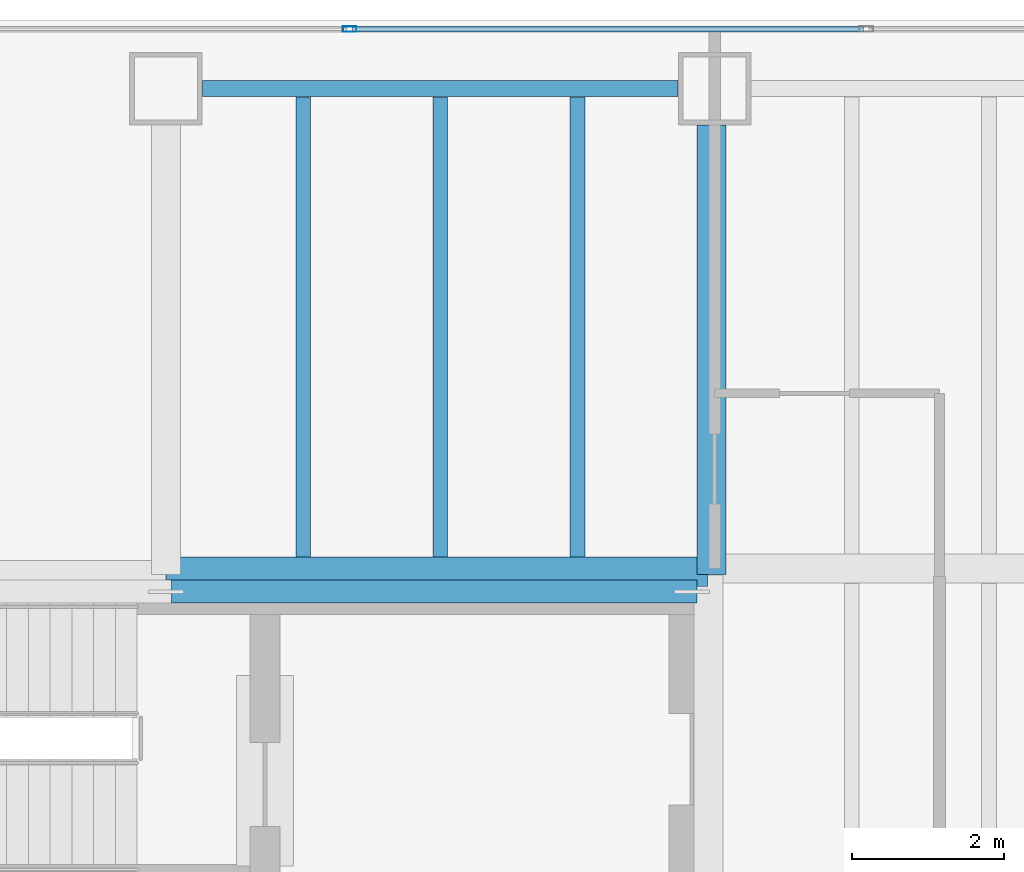
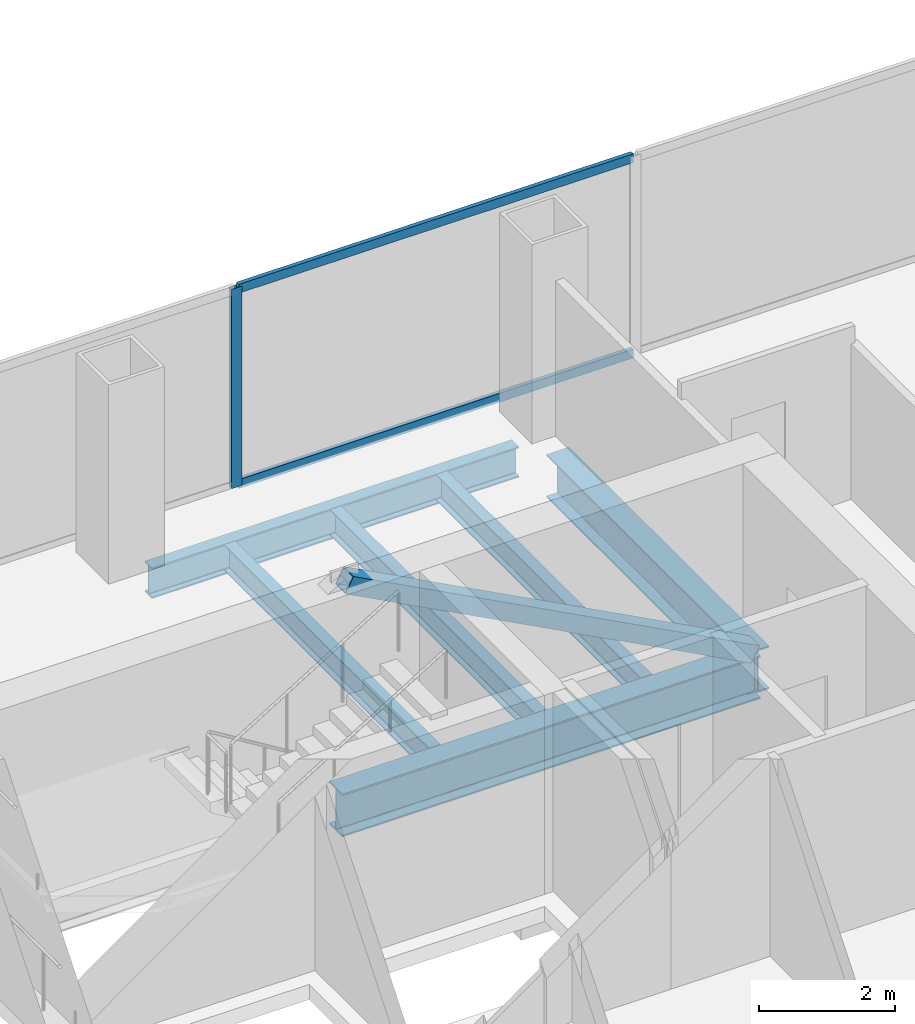
# One storey, part 17 of 23: 6 beams, 4 members, 1 element without a shape of its own.
"""IFC4 building model written with IfcOpenShell, lengths in metres."""

from ifc_helpers import new_model, si_unit, direction, frame, origin, origin_2d, place, context, subcontext, project, spatial, hollow_rectangle, i_section, extrude, material, material_profile, profile_set, type_object, element, aggregate, save


model = new_model("IFC4")

# Units and contexts
model_context = context("Model", 3, precision=1e-05, world=origin(), true_north=direction((0.0, 1.0)))
body_context = subcontext(model_context, "Body", "Model", "MODEL_VIEW")
ifc_project = project(units=[si_unit("LENGTHUNIT", "METRE"), si_unit("AREAUNIT", "SQUARE_METRE"), si_unit("VOLUMEUNIT", "CUBIC_METRE"), si_unit("PLANEANGLEUNIT", "RADIAN"), si_unit("MASSUNIT", "GRAM", prefix="KILO")], contexts=[model_context])

# Site, building, storey
site_placement = place(None, origin())
site = spatial("IfcSite", under=ifc_project, at=site_placement, CompositionType="ELEMENT")
building_placement = place(site_placement, origin())
building = spatial("IfcBuilding", under=site, at=building_placement, Name="Cobrela Telecom Tower", CompositionType="ELEMENT")
storey_placement = place(building_placement, frame((0.0, 0.0, 109.89990234375)))
storey = spatial("IfcBuildingStorey", under=building, at=storey_placement, Name="L27", CompositionType="ELEMENT", Elevation=109.89990234375)

# Beams
ifc_material_1 = material(Name="Steel ASTM A992 Grade 50", Category="steel")
ifc_material_profile_1 = material_profile(ifc_material_1, i_section(OverallWidth=0.381103515625, OverallDepth=0.77197265625, WebThickness=0.0166015625, FlangeThickness=0.027099609375, FilletRadius=0.01904296875, at=origin_2d()), Name="W30X173")
ifc_profile_set_1 = profile_set([ifc_material_profile_1], Name="Steel ASTM A992 Grade 50")
beam_type_1 = type_object("IfcBeamType", Name="BM-GIRD-04", PredefinedType="USERDEFINED", material=ifc_profile_set_1)
beam_1_placement = place(storey_placement, frame((7.205078125, 35.9599609375, -0.656005859375), z_axis=(1.0, 0.0, 0.0), x_axis=(0.0, 1.0, 0.0)))
element("IfcBeam", 1, at=beam_1_placement, inside=storey, type_object=beam_type_1, Name="L27 Primary Girder X26", ObjectType="GIRDER", PredefinedType="USERDEFINED", context=body_context, shape_type="SweptSolid", body=[
    extrude(i_section(OverallWidth=0.381103515625, OverallDepth=0.77197265625, WebThickness=0.0166015625, FlangeThickness=0.027099609375, FilletRadius=0.01904296875, at=origin_2d()), origin(), (0.0, 0.0, 1.0), 7.10986328125),
])
beam_2_placement = place(storey_placement, frame((14.360107421875, 35.925048828125, -0.656005859375), z_axis=(0.0, 1.0, 0.0), x_axis=(-1.0, 0.0, 0.0)))
element("IfcBeam", 2, at=beam_2_placement, inside=storey, type_object=beam_type_1, Name="L27 Primary Girder Y38", ObjectType="GIRDER", PredefinedType="USERDEFINED", context=body_context, shape_type="SweptSolid", body=[
    extrude(i_section(OverallWidth=0.381103515625, OverallDepth=0.77197265625, WebThickness=0.0166015625, FlangeThickness=0.027099609375, FilletRadius=0.01904296875, at=origin_2d()), origin(), (0.0, 0.0, 1.0), 5.89501953125),
])
ifc_material_profile_2 = material_profile(ifc_material_1, i_section(OverallWidth=0.193115234375, OverallDepth=0.467041015625, WebThickness=0.011474609375, FlangeThickness=0.01904296875, FilletRadius=0.012939453125, at=origin_2d()), Name="W18X65")
ifc_profile_set_2 = profile_set([ifc_material_profile_2], Name="Steel ASTM A992 Grade 50")
beam_type_2 = type_object("IfcBeamType", Name="BM-JOIST-03", PredefinedType="JOIST", material=ifc_profile_set_2)
for number, where, z_axis, x_axis, name in (
    (3, (9.0, 36.155517578125, -0.50341796875), (0.0, 1.0, 0.0), (-1.0, 0.0, 0.0), "L27 Secondary Composite Floor Beam J01"),
    (4, (10.800048828125, 36.155517578125, -0.50341796875), (0.0, 1.0, 0.0), (-1.0, 0.0, 0.0), "L27 Secondary Composite Floor Beam J02"),
    (5, (12.60009765625, 36.155517578125, -0.50341796875), (0.0, 1.0, 0.0), (-1.0, 0.0, 0.0), "L27 Secondary Composite Floor Beam J03"),
):
    element("IfcBeam", number, at=place(storey_placement, frame(where, z_axis=z_axis, x_axis=x_axis)), inside=storey, type_object=beam_type_2, Name=name, PredefinedType="JOIST", context=body_context, shape_type="SweptSolid", body=[
        extrude(i_section(OverallWidth=0.193115234375, OverallDepth=0.467041015625, WebThickness=0.011474609375, FlangeThickness=0.01904296875, FilletRadius=0.012939453125, at=origin_2d()), origin(), (0.0, 0.0, 1.0), 6.032958984375),
    ])
ifc_material_profile_3 = material_profile(ifc_material_1, i_section(OverallWidth=0.212890625, OverallDepth=0.549072265625, WebThickness=0.0146484375, FlangeThickness=0.023681640625, FilletRadius=0.013916015625, at=origin_2d()), Name="W21X93")
ifc_profile_set_3 = profile_set([ifc_material_profile_3], Name="Steel ASTM A992 Grade 50")
beam_type_3 = type_object("IfcBeamType", Name="BM-SPAND-03", PredefinedType="SPANDREL", material=ifc_profile_set_3)
beam_3_placement = place(storey_placement, frame((7.679931640625, 42.300048828125, -0.54443359375), z_axis=(1.0, 0.0, 0.0), x_axis=(0.0, 1.0, 0.0)))
element("IfcBeam", 6, at=beam_3_placement, inside=storey, type_object=beam_type_3, Name="L27 Perimeter Spandrel X29", PredefinedType="SPANDREL", context=body_context, shape_type="SweptSolid", body=[
    extrude(i_section(OverallWidth=0.212890625, OverallDepth=0.549072265625, WebThickness=0.0146484375, FlangeThickness=0.023681640625, FilletRadius=0.013916015625, at=origin_2d()), origin(), (0.0, 0.0, 1.0), 6.239990234375),
])

# Curtain wall, members
ifc_material_2 = material(Name="Anodized Bronze Aluminium 6063-T6", Category="aluminium")
curtain_wall_type = type_object("IfcCurtainWallType", Name="CW-SYS-TEL", PredefinedType="USERDEFINED", material=ifc_material_2)
curtain_wall_placement = place(storey_placement, origin())
curtain_wall = element("IfcCurtainWall", 7, at=curtain_wall_placement, inside=storey, type_object=curtain_wall_type, Name="L27 Unitised Bronze Curtain Wall 07", ObjectType="UNITISED CURTAIN WALL", PredefinedType="USERDEFINED")
ifc_material_profile_4 = material_profile(ifc_material_2, hollow_rectangle(XDim=0.074951171875, YDim=0.179931640625, WallThickness=0.00390625, at=origin_2d()), Name="ALU 75x180x4")
ifc_profile_set_4 = profile_set([ifc_material_profile_4], Name="Anodized Bronze Aluminium 6063-T6")
member_type_1 = type_object("IfcMemberType", Name="CW-SYS-TEL-MUL", PredefinedType="MULLION", material=ifc_profile_set_4)
member_1_placement = place(storey_placement, frame((9.610107421875, 43.080078125, 0.0), z_axis=(0.0, 0.0, 1.0), x_axis=(0.0, 1.0, 0.0)))
member_1 = element("IfcMember", 8, at=member_1_placement, type_object=member_type_1, Name="CW-TEL mullion 2", PredefinedType="MULLION", context=body_context, shape_type="SweptSolid", body=[
    extrude(hollow_rectangle(XDim=0.074951171875, YDim=0.179931640625, WallThickness=0.00390625, at=origin_2d()), origin(), (0.0, 0.0, 1.0), 3.580078125),
])
ifc_material_profile_5 = material_profile(ifc_material_2, hollow_rectangle(XDim=0.070068359375, YDim=0.159912109375, WallThickness=0.00390625, at=origin_2d()), Name="ALU 70x160x4")
ifc_profile_set_5 = profile_set([ifc_material_profile_5], Name="Anodized Bronze Aluminium 6063-T6")
member_type_2 = type_object("IfcMemberType", Name="CW-SYS-TEL-TRN", PredefinedType="USERDEFINED", material=ifc_profile_set_5)
member_2_placement = place(storey_placement, frame((9.6474609375, 43.080078125, 0.03515625), z_axis=(1.0, 0.0, 0.0), x_axis=(0.0, 1.0, 0.0)))
member_2 = element("IfcMember", 9, at=member_2_placement, type_object=member_type_2, Name="CW-TEL transom 2.1", ObjectType="TRANSOM", PredefinedType="USERDEFINED", context=body_context, shape_type="SweptSolid", body=[
    extrude(hollow_rectangle(XDim=0.070068359375, YDim=0.159912109375, WallThickness=0.00390625, at=origin_2d()), origin(), (0.0, 0.0, 1.0), 6.705078125),
])
member_3_placement = place(storey_placement, frame((9.6474609375, 43.080078125, 3.545166015625), z_axis=(1.0, 0.0, 0.0), x_axis=(0.0, 1.0, 0.0)))
member_3 = element("IfcMember", 10, at=member_3_placement, type_object=member_type_2, Name="CW-TEL transom 2.2", ObjectType="TRANSOM", PredefinedType="USERDEFINED", context=body_context, shape_type="SweptSolid", body=[
    extrude(hollow_rectangle(XDim=0.070068359375, YDim=0.159912109375, WallThickness=0.00390625, at=origin_2d()), origin(), (0.0, 0.0, 1.0), 6.705078125),
])
aggregate(curtain_wall, [member_1, member_2, member_3])

# Member
ifc_material_3 = material(Name="Steel ASTM A572 Grade 50", Category="steel")
ifc_material_profile_6 = material_profile(ifc_material_3, hollow_rectangle(XDim=0.300048828125, YDim=0.300048828125, WallThickness=0.01611328125, at=origin_2d()), Name="HSS 300x300x16")
ifc_profile_set_6 = profile_set([ifc_material_profile_6], Name="Steel ASTM A572 Grade 50")
member_type_3 = type_object("IfcMemberType", Name="MBR-EXO-03", PredefinedType="BRACE", material=ifc_profile_set_6)
member_4_placement = place(storey_placement, frame((14.10009765625, 35.699951171875, -0.039794921875), z_axis=(-0.883422698386, 0.0, 0.468576926423), x_axis=(0.0, -1.0, 0.0)))
element("IfcMember", 11, at=member_4_placement, inside=storey, type_object=member_type_3, Name="L27 Core Flange Steel Brace N2", PredefinedType="BRACE", context=body_context, shape_type="SweptSolid", body=[
    extrude(hollow_rectangle(XDim=0.300048828125, YDim=0.300048828125, WallThickness=0.01611328125, at=origin_2d()), origin(), (0.0, 0.0, 1.0), 7.810791015625),
])

save(model, "model.ifc")
